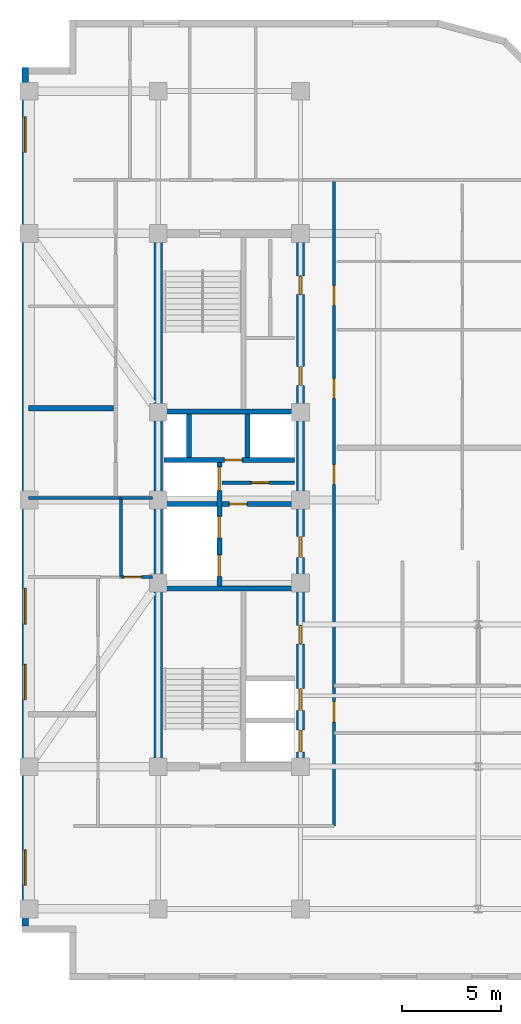
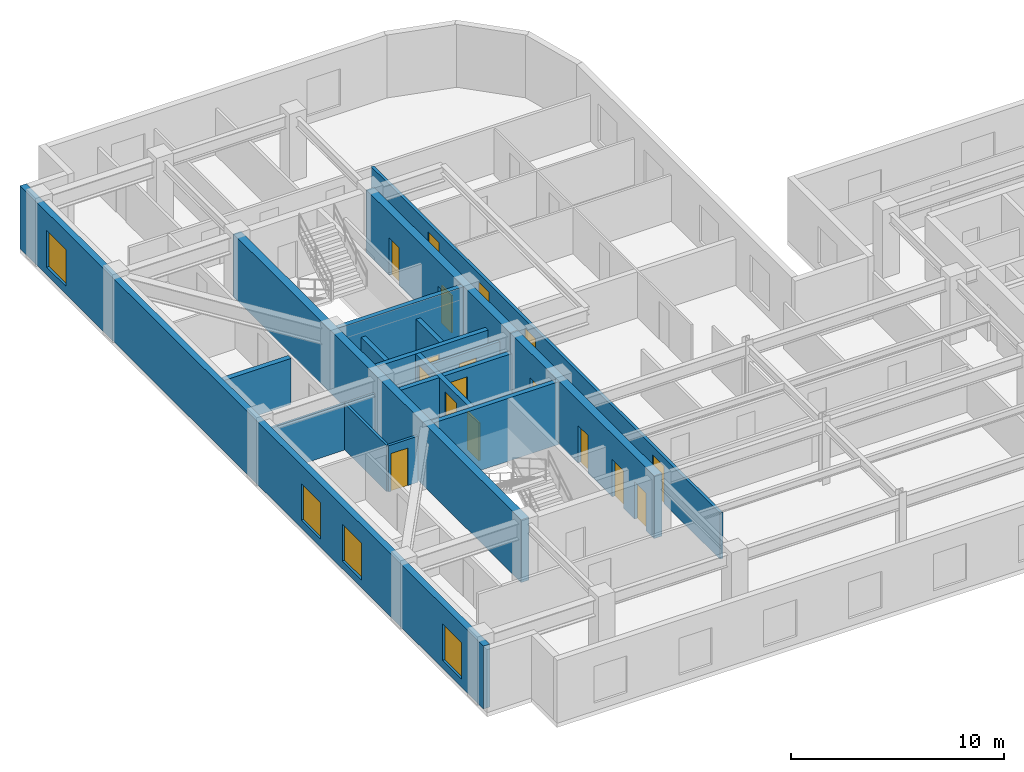
# One storey, part 4 of 10: 18 walls, 17 doors, 4 windows, 21 openings.
"""IFC4 building model written with IfcOpenShell, lengths in metres."""

from ifc_helpers import new_model, entity, si_unit, converted_unit, direction, frame, origin_with_axes, origin_2d_with_axis, place, context, subcontext, project, spatial, polyline, rectangle, outline, extrude, material, layer, layer_set, type_object, element, fill, save


model = new_model("IFC4")

# Units and contexts
model_context = context("Model", 3, precision=1e-05, world=origin_with_axes(), true_north=direction((0.0, 1.0)))
body_context = subcontext(model_context, "Body", "Model", "MODEL_VIEW")
ifc_project = project(units=[si_unit("LENGTHUNIT", "METRE"), si_unit("AREAUNIT", "SQUARE_METRE"), si_unit("VOLUMEUNIT", "CUBIC_METRE"), converted_unit("PLANEANGLEUNIT", "DEGREE", entity("IfcPlaneAngleMeasure", 0.017453292519943295), si_unit("PLANEANGLEUNIT", "RADIAN"), dimensions=[0, 0, 0, 0, 0, 0, 0]), si_unit("MASSUNIT", "GRAM", prefix="KILO"), si_unit("THERMODYNAMICTEMPERATUREUNIT", "KELVIN")], contexts=[model_context])

# Site, building, storey
site_placement = place(None, origin_with_axes())
site = spatial("IfcSite", under=ifc_project, at=site_placement, CompositionType="ELEMENT")
building_placement = place(site_placement, origin_with_axes())
building = spatial("IfcBuilding", under=site, at=building_placement, Name="Varnlund Millrace Tower", CompositionType="ELEMENT")
storey_placement = place(building_placement, frame((0.0, 0.0, 244.2), z_axis=(0.0, 0.0, 1.0), x_axis=(1.0, 0.0, 0.0)))
storey = spatial("IfcBuildingStorey", under=building, at=storey_placement, Name="L60", CompositionType="ELEMENT", Elevation=244.2)

# Wall
ifc_material_1 = material(Name="Concrete C60/75", Category="concrete")
ifc_layer_1 = layer(ifc_material_1, 0.42, Name="Concrete C60/75")
ifc_layer_set_1 = layer_set([ifc_layer_1], Name="Concrete C60/75")
wall_type_1 = type_object("IfcWallType", Name="Type-CoreWall-Shear-420-C60", PredefinedType="SHEAR", material=ifc_layer_set_1)
wall_1_placement = place(storey_placement, frame((11.4, 10.8, 0.0), z_axis=(0.0, 0.0, 1.0), x_axis=(0.0, 1.0, 0.0)))
element("IfcWall", 1, at=wall_1_placement, inside=storey, type_object=wall_type_1, Name="Type-CoreWall-Shear-420-C60", PredefinedType="SHEAR", context=body_context, shape_type="SweptSolid", body=[
    extrude(outline(polyline([(0.0, -0.21), (27.0, -0.21), (27.0, 0.21), (0.0, 0.21), (0.0, -0.21)])), origin_with_axes(), (0.0, 0.0, 1.0), 3.6),
])

# Wall, openings, doors
wall_2_placement = place(storey_placement, frame((18.6, 10.8, 0.0), z_axis=(0.0, 0.0, 1.0), x_axis=(0.0, 1.0, 0.0)))
wall_2 = element("IfcWall", 2, at=wall_2_placement, inside=storey, type_object=wall_type_1, Name="Type-CoreWall-Shear-420-C60", PredefinedType="SHEAR", context=body_context, shape_type="SweptSolid", body=[
    extrude(outline(polyline([(0.0, -0.21), (13.5, -0.21), (13.5, 0.21), (0.0, 0.21), (0.0, -0.21)])), origin_with_axes(), (0.0, 0.0, 1.0), 3.6),
])
opening_1_placement = place(wall_2_placement, frame((1.3, 0.0, 0.0), z_axis=(0.0, 0.0, 1.0), x_axis=(1.0, 0.0, 0.0)))
opening_1 = element("IfcOpeningElement", 3, at=opening_1_placement, cuts=wall_2, Name="Opening L60:LD-ELV-H1", PredefinedType="OPENING", context=body_context, shape_type="SweptSolid", body=[
    extrude(rectangle(XDim=1.1, YDim=0.44, at=origin_2d_with_axis()), origin_with_axes(), (0.0, 0.0, 1.0), 2.15),
])
opening_2_placement = place(wall_2_placement, frame((3.4, 0.0, 0.0), z_axis=(0.0, 0.0, 1.0), x_axis=(1.0, 0.0, 0.0)))
opening_2 = element("IfcOpeningElement", 4, at=opening_2_placement, cuts=wall_2, Name="Opening L60:LD-ELV-H2", PredefinedType="OPENING", context=body_context, shape_type="SweptSolid", body=[
    extrude(rectangle(XDim=1.1, YDim=0.44, at=origin_2d_with_axis()), origin_with_axes(), (0.0, 0.0, 1.0), 2.15),
])
opening_3_placement = place(wall_2_placement, frame((11.125, 0.0, 0.0), z_axis=(0.0, 0.0, 1.0), x_axis=(1.0, 0.0, 0.0)))
opening_3 = element("IfcOpeningElement", 5, at=opening_3_placement, cuts=wall_2, Name="Opening L60:DR-FFLOB-A", PredefinedType="OPENING", context=body_context, shape_type="SweptSolid", body=[
    extrude(rectangle(XDim=1.05, YDim=0.44, at=origin_2d_with_axis()), origin_with_axes(), (0.0, 0.0, 1.0), 2.15),
])
opening_4_placement = place(wall_2_placement, frame((6.675, 0.0, 0.0), z_axis=(0.0, 0.0, 1.0), x_axis=(1.0, 0.0, 0.0)))
opening_4 = element("IfcOpeningElement", 6, at=opening_4_placement, cuts=wall_2, Name="Opening L60:DR-RECL-S1AB", PredefinedType="OPENING", context=body_context, shape_type="SweptSolid", body=[
    extrude(rectangle(XDim=0.95, YDim=0.44, at=origin_2d_with_axis()), origin_with_axes(), (0.0, 0.0, 1.0), 2.15),
])
ifc_material_2 = material(Name="Smoke-barrier hollow steel fire door", Category="steel")
door_type_1 = type_object("IfcDoorType", Name="Type-FireDoor-Lobby-1050X2150", OperationType="NOTDEFINED", PredefinedType="DOOR", material=ifc_material_2)
door_1_placement = place(wall_2_placement, frame((11.125, 0.0, 0.0), z_axis=(0.0, 0.0, 1.0), x_axis=(1.0, 0.0, 0.0)))
door_1 = element("IfcDoor", 7, at=door_1_placement, inside=storey, type_object=door_type_1, Name="Type-FireDoor-Lobby-1050X2150", OperationType="SINGLE_SWING_LEFT", OverallHeight=2.15, OverallWidth=1.05, PredefinedType="DOOR", context=body_context, shape_type="SweptSolid", body=[
    extrude(rectangle(XDim=1.05, YDim=0.09, at=origin_2d_with_axis()), origin_with_axes(), (0.0, 0.0, 1.0), 2.15),
])
fill(opening_3, door_1)
ifc_material_3 = material(Name="Fire-rated hollow steel core service door", Category="steel")
door_type_2 = type_object("IfcDoorType", Name="Type-FireDoor-Service-950X2150", OperationType="NOTDEFINED", PredefinedType="DOOR", material=ifc_material_3)
door_2_placement = place(wall_2_placement, frame((6.675, 0.0, 0.0), z_axis=(0.0, 0.0, 1.0), x_axis=(1.0, 0.0, 0.0)))
door_2 = element("IfcDoor", 8, at=door_2_placement, inside=storey, type_object=door_type_2, Name="Type-FireDoor-Service-950X2150", OperationType="SINGLE_SWING_LEFT", OverallHeight=2.15, OverallWidth=0.95, PredefinedType="DOOR", context=body_context, shape_type="SweptSolid", body=[
    extrude(rectangle(XDim=0.95, YDim=0.09, at=origin_2d_with_axis()), origin_with_axes(), (0.0, 0.0, 1.0), 2.15),
])
fill(opening_4, door_2)
ifc_material_4 = material(Name="Stainless and architectural bronze sliding landing door")
door_type_3 = type_object("IfcDoorType", Name="Type-LiftLandingDoor-1100X2150", OperationType="NOTDEFINED", PredefinedType="DOOR", material=ifc_material_4)
door_3_placement = place(wall_2_placement, frame((1.3, 0.0, 0.0), z_axis=(0.0, 0.0, 1.0), x_axis=(1.0, 0.0, 0.0)))
door_3 = element("IfcDoor", 9, at=door_3_placement, inside=storey, type_object=door_type_3, Name="Type-LiftLandingDoor-1100X2150", OperationType="SLIDING_TO_LEFT", OverallHeight=2.15, OverallWidth=1.1, PredefinedType="DOOR", context=body_context, shape_type="SweptSolid", body=[
    extrude(rectangle(XDim=1.1, YDim=0.09, at=origin_2d_with_axis()), origin_with_axes(), (0.0, 0.0, 1.0), 2.15),
])
fill(opening_1, door_3)
door_4_placement = place(wall_2_placement, frame((3.4, 0.0, 0.0), z_axis=(0.0, 0.0, 1.0), x_axis=(1.0, 0.0, 0.0)))
door_4 = element("IfcDoor", 10, at=door_4_placement, inside=storey, type_object=door_type_3, Name="Type-LiftLandingDoor-1100X2150", OperationType="SLIDING_TO_RIGHT", OverallHeight=2.15, OverallWidth=1.1, PredefinedType="DOOR", context=body_context, shape_type="SweptSolid", body=[
    extrude(rectangle(XDim=1.1, YDim=0.09, at=origin_2d_with_axis()), origin_with_axes(), (0.0, 0.0, 1.0), 2.15),
])
fill(opening_2, door_4)

wall_3_placement = place(storey_placement, frame((18.6, 24.3, 0.0), z_axis=(0.0, 0.0, 1.0), x_axis=(0.0, 1.0, 0.0)))
wall_3 = element("IfcWall", 11, at=wall_3_placement, inside=storey, type_object=wall_type_1, Name="Type-CoreWall-Shear-420-C60", PredefinedType="SHEAR", context=body_context, shape_type="SweptSolid", body=[
    extrude(outline(polyline([(0.0, -0.21), (13.5, -0.21), (13.5, 0.21), (0.0, 0.21), (0.0, -0.21)])), origin_with_axes(), (0.0, 0.0, 1.0), 3.6),
])
opening_5_placement = place(wall_3_placement, frame((6.275, 0.0, 0.0), z_axis=(0.0, 0.0, 1.0), x_axis=(1.0, 0.0, 0.0)))
opening_5 = element("IfcOpeningElement", 12, at=opening_5_placement, cuts=wall_3, Name="Opening L60:DR-RECL-M1", PredefinedType="OPENING", context=body_context, shape_type="SweptSolid", body=[
    extrude(rectangle(XDim=0.95, YDim=0.44, at=origin_2d_with_axis()), origin_with_axes(), (0.0, 0.0, 1.0), 2.15),
])
opening_6_placement = place(wall_3_placement, frame((10.875, 0.0, 0.0), z_axis=(0.0, 0.0, 1.0), x_axis=(1.0, 0.0, 0.0)))
opening_6 = element("IfcOpeningElement", 13, at=opening_6_placement, cuts=wall_3, Name="Opening L60:DR-RECL-M3", PredefinedType="OPENING", context=body_context, shape_type="SweptSolid", body=[
    extrude(rectangle(XDim=0.95, YDim=0.44, at=origin_2d_with_axis()), origin_with_axes(), (0.0, 0.0, 1.0), 2.15),
])
door_5_placement = place(wall_3_placement, frame((6.275, 0.0, 0.0), z_axis=(0.0, 0.0, 1.0), x_axis=(1.0, 0.0, 0.0)))
door_5 = element("IfcDoor", 14, at=door_5_placement, inside=storey, type_object=door_type_2, Name="Type-FireDoor-Service-950X2150", OperationType="SINGLE_SWING_LEFT", OverallHeight=2.15, OverallWidth=0.95, PredefinedType="DOOR", context=body_context, shape_type="SweptSolid", body=[
    extrude(rectangle(XDim=0.95, YDim=0.09, at=origin_2d_with_axis()), origin_with_axes(), (0.0, 0.0, 1.0), 2.15),
])
fill(opening_5, door_5)
door_6_placement = place(wall_3_placement, frame((10.875, 0.0, 0.0), z_axis=(0.0, 0.0, 1.0), x_axis=(1.0, 0.0, 0.0)))
door_6 = element("IfcDoor", 15, at=door_6_placement, inside=storey, type_object=door_type_2, Name="Type-FireDoor-Service-950X2150", OperationType="SINGLE_SWING_RIGHT", OverallHeight=2.15, OverallWidth=0.95, PredefinedType="DOOR", context=body_context, shape_type="SweptSolid", body=[
    extrude(rectangle(XDim=0.95, YDim=0.09, at=origin_2d_with_axis()), origin_with_axes(), (0.0, 0.0, 1.0), 2.15),
])
fill(opening_6, door_6)

# Wall, openings, windows
ifc_material_5 = material(Name="Precast concrete C50/60", Category="concrete")
ifc_layer_2 = layer(ifc_material_5, 0.34, Name="Precast concrete C50/60")
ifc_layer_set_2 = layer_set([ifc_layer_2], Name="Precast concrete C50/60")
wall_type_2 = type_object("IfcWallType", Name="Type-ExtWall-Precast-Upper-340", PredefinedType="SOLIDWALL", material=ifc_layer_set_2)
wall_4_placement = place(storey_placement, frame((4.67, 2.74, 0.0), z_axis=(0.0, 0.0, 1.0), x_axis=(0.0, 1.0, 0.0)))
wall_4 = element("IfcWall", 16, at=wall_4_placement, inside=storey, type_object=wall_type_2, Name="Type-ExtWall-Precast-Upper-340", PredefinedType="SOLIDWALL", context=body_context, shape_type="SweptSolid", body=[
    extrude(outline(polyline([(0.0, -0.17), (43.46, -0.17), (43.46, 0.17), (0.0, 0.17), (0.0, -0.17)])), origin_with_axes(), (0.0, 0.0, 1.0), 3.6),
])
opening_7_placement = place(wall_4_placement, frame((2.948, 0.0, 0.45), z_axis=(0.0, 0.0, 1.0), x_axis=(1.0, 0.0, 0.0)))
opening_7 = element("IfcOpeningElement", 17, at=opening_7_placement, cuts=wall_4, Name="Opening L60:WN-16", PredefinedType="OPENING", context=body_context, shape_type="SweptSolid", body=[
    extrude(rectangle(XDim=1.8, YDim=0.36, at=origin_2d_with_axis()), origin_with_axes(), (0.0, 0.0, 1.0), 2.1),
])
opening_8_placement = place(wall_4_placement, frame((12.339, 0.0, 0.45), z_axis=(0.0, 0.0, 1.0), x_axis=(1.0, 0.0, 0.0)))
opening_8 = element("IfcOpeningElement", 18, at=opening_8_placement, cuts=wall_4, Name="Opening L60:WN-17", PredefinedType="OPENING", context=body_context, shape_type="SweptSolid", body=[
    extrude(rectangle(XDim=1.8, YDim=0.36, at=origin_2d_with_axis()), origin_with_axes(), (0.0, 0.0, 1.0), 2.1),
])
opening_9_placement = place(wall_4_placement, frame((16.184, 0.0, 0.45), z_axis=(0.0, 0.0, 1.0), x_axis=(1.0, 0.0, 0.0)))
opening_9 = element("IfcOpeningElement", 19, at=opening_9_placement, cuts=wall_4, Name="Opening L60:WN-18", PredefinedType="OPENING", context=body_context, shape_type="SweptSolid", body=[
    extrude(rectangle(XDim=1.8, YDim=0.36, at=origin_2d_with_axis()), origin_with_axes(), (0.0, 0.0, 1.0), 2.1),
])
opening_10_placement = place(wall_4_placement, frame((40.062, 0.0, 0.45), z_axis=(0.0, 0.0, 1.0), x_axis=(1.0, 0.0, 0.0)))
opening_10 = element("IfcOpeningElement", 20, at=opening_10_placement, cuts=wall_4, Name="Opening L60:WN-19", PredefinedType="OPENING", context=body_context, shape_type="SweptSolid", body=[
    extrude(rectangle(XDim=1.8, YDim=0.36, at=origin_2d_with_axis()), origin_with_axes(), (0.0, 0.0, 1.0), 2.1),
])
ifc_material_6 = material(Name="Argon low-e triple glazing in thermally broken bronze frame", Category="glass")
window_type = type_object("IfcWindowType", Name="Type-Window-Punched-1800X2100", PartitioningType="SINGLE_PANEL", PredefinedType="WINDOW", material=ifc_material_6)
window_1_placement = place(wall_4_placement, frame((2.948, 0.0, 0.45), z_axis=(0.0, 0.0, 1.0), x_axis=(1.0, 0.0, 0.0)))
window_1 = element("IfcWindow", 21, at=window_1_placement, inside=storey, type_object=window_type, Name="Type-Window-Punched-1800X2100", OverallHeight=2.1, OverallWidth=1.8, PredefinedType="WINDOW", context=body_context, shape_type="SweptSolid", body=[
    extrude(rectangle(XDim=1.8, YDim=0.09, at=origin_2d_with_axis()), origin_with_axes(), (0.0, 0.0, 1.0), 2.1),
])
fill(opening_7, window_1)
window_2_placement = place(wall_4_placement, frame((12.339, 0.0, 0.45), z_axis=(0.0, 0.0, 1.0), x_axis=(1.0, 0.0, 0.0)))
window_2 = element("IfcWindow", 22, at=window_2_placement, inside=storey, type_object=window_type, Name="Type-Window-Punched-1800X2100", OverallHeight=2.1, OverallWidth=1.8, PredefinedType="WINDOW", context=body_context, shape_type="SweptSolid", body=[
    extrude(rectangle(XDim=1.8, YDim=0.09, at=origin_2d_with_axis()), origin_with_axes(), (0.0, 0.0, 1.0), 2.1),
])
fill(opening_8, window_2)
window_3_placement = place(wall_4_placement, frame((16.184, 0.0, 0.45), z_axis=(0.0, 0.0, 1.0), x_axis=(1.0, 0.0, 0.0)))
window_3 = element("IfcWindow", 23, at=window_3_placement, inside=storey, type_object=window_type, Name="Type-Window-Punched-1800X2100", OverallHeight=2.1, OverallWidth=1.8, PredefinedType="WINDOW", context=body_context, shape_type="SweptSolid", body=[
    extrude(rectangle(XDim=1.8, YDim=0.09, at=origin_2d_with_axis()), origin_with_axes(), (0.0, 0.0, 1.0), 2.1),
])
fill(opening_9, window_3)
window_4_placement = place(wall_4_placement, frame((40.062, 0.0, 0.45), z_axis=(0.0, 0.0, 1.0), x_axis=(1.0, 0.0, 0.0)))
window_4 = element("IfcWindow", 24, at=window_4_placement, inside=storey, type_object=window_type, Name="Type-Window-Punched-1800X2100", OverallHeight=2.1, OverallWidth=1.8, PredefinedType="WINDOW", context=body_context, shape_type="SweptSolid", body=[
    extrude(rectangle(XDim=1.8, YDim=0.09, at=origin_2d_with_axis()), origin_with_axes(), (0.0, 0.0, 1.0), 2.1),
])
fill(opening_10, window_4)

# Wall
ifc_material_7 = material(Name="Double-stud STC-60 conference acoustic partition", Category="gypsum")
ifc_layer_3 = layer(ifc_material_7, 0.28, Name="Double-stud STC-60 conference acoustic partition")
ifc_layer_set_3 = layer_set([ifc_layer_3], Name="Double-stud STC-60 conference acoustic partition")
wall_type_3 = type_object("IfcWallType", Name="Type-Partition-Acoustic-280", PredefinedType="PARTITIONING", material=ifc_layer_set_3)
wall_5_placement = place(storey_placement, frame((4.835, 28.952, 0.0), z_axis=(0.0, 0.0, 1.0), x_axis=(1.0, 0.0, 0.0)))
element("IfcWall", 25, at=wall_5_placement, inside=storey, type_object=wall_type_3, Name="Type-Partition-Acoustic-280", PredefinedType="PARTITIONING", context=body_context, shape_type="SweptSolid", body=[
    extrude(outline(polyline([(0.0, -0.14), (4.295, -0.14), (4.295, 0.14), (0.0, 0.14), (0.0, -0.14)])), origin_with_axes(), (0.0, 0.0, 1.0), 2.64),
])

# Wall, opening, door
ifc_material_8 = material(Name="Fire-rated gypsum board on cold-formed steel framing", Category="steel")
ifc_layer_4 = layer(ifc_material_8, 0.16, Name="Fire-rated gypsum board on cold-formed steel framing")
ifc_layer_set_4 = layer_set([ifc_layer_4], Name="Fire-rated gypsum board on cold-formed steel framing")
wall_type_4 = type_object("IfcWallType", Name="Type-Partition-Corridor-160", PredefinedType="PARTITIONING", material=ifc_layer_set_4)
wall_6_placement = place(storey_placement, frame((14.62, 25.18, 0.0), z_axis=(0.0, 0.0, 1.0), x_axis=(1.0, 0.0, 0.0)))
wall_6 = element("IfcWall", 26, at=wall_6_placement, inside=storey, type_object=wall_type_4, Name="Type-Partition-Corridor-160", PredefinedType="PARTITIONING", context=body_context, shape_type="SweptSolid", body=[
    extrude(outline(polyline([(0.0, -0.08), (3.68, -0.08), (3.68, 0.08), (0.0, 0.08), (0.0, -0.08)])), origin_with_axes(), (0.0, 0.0, 1.0), 2.64),
])
opening_11_placement = place(wall_6_placement, frame((1.95, 0.0, 0.0), z_axis=(0.0, 0.0, 1.0), x_axis=(1.0, 0.0, 0.0)))
opening_11 = element("IfcOpeningElement", 27, at=opening_11_placement, cuts=wall_6, Name="Opening L60:DR-CA-SUB2", PredefinedType="OPENING", context=body_context, shape_type="SweptSolid", body=[
    extrude(rectangle(XDim=0.9, YDim=0.18, at=origin_2d_with_axis()), origin_with_axes(), (0.0, 0.0, 1.0), 2.15),
])
ifc_material_9 = material(Name="Painted steel riser and closet door", Category="steel")
door_type_4 = type_object("IfcDoorType", Name="Type-IntDoor-Closet-900X2150", OperationType="NOTDEFINED", PredefinedType="DOOR", material=ifc_material_9)
door_7_placement = place(wall_6_placement, frame((1.95, 0.0, 0.0), z_axis=(0.0, 0.0, 1.0), x_axis=(1.0, 0.0, 0.0)))
door_7 = element("IfcDoor", 28, at=door_7_placement, inside=storey, type_object=door_type_4, Name="Type-IntDoor-Closet-900X2150", OperationType="SINGLE_SWING_LEFT", OverallHeight=2.15, OverallWidth=0.9, PredefinedType="DOOR", context=body_context, shape_type="SweptSolid", body=[
    extrude(rectangle(XDim=0.9, YDim=0.09, at=origin_2d_with_axis()), origin_with_axes(), (0.0, 0.0, 1.0), 2.15),
])
fill(opening_11, door_7)

# Wall, openings, doors
wall_7_placement = place(storey_placement, frame((20.3, 7.8, 0.0), z_axis=(0.0, 0.0, 1.0), x_axis=(0.0, 1.0, 0.0)))
wall_7 = element("IfcWall", 29, at=wall_7_placement, inside=storey, type_object=wall_type_4, Name="Type-Partition-Corridor-160", PredefinedType="PARTITIONING", context=body_context, shape_type="SweptSolid", body=[
    extrude(outline(polyline([(0.0, -0.08), (32.7, -0.08), (32.7, 0.08), (0.0, 0.08), (0.0, -0.08)])), origin_with_axes(), (0.0, 0.0, 1.0), 2.64),
])
opening_12_placement = place(wall_7_placement, frame((17.794, 0.0, 0.0), z_axis=(0.0, 0.0, 1.0), x_axis=(1.0, 0.0, 0.0)))
opening_12 = element("IfcOpeningElement", 30, at=opening_12_placement, cuts=wall_7, Name="Opening L60:DR-FLR-01", PredefinedType="OPENING", context=body_context, shape_type="SweptSolid", body=[
    extrude(rectangle(XDim=1.0, YDim=0.18, at=origin_2d_with_axis()), origin_with_axes(), (0.0, 0.0, 1.0), 2.15),
])
opening_13_placement = place(wall_7_placement, frame((22.145, 0.0, 0.0), z_axis=(0.0, 0.0, 1.0), x_axis=(1.0, 0.0, 0.0)))
opening_13 = element("IfcOpeningElement", 31, at=opening_13_placement, cuts=wall_7, Name="Opening L60:DR-FLR-02", PredefinedType="OPENING", context=body_context, shape_type="SweptSolid", body=[
    extrude(rectangle(XDim=1.0, YDim=0.18, at=origin_2d_with_axis()), origin_with_axes(), (0.0, 0.0, 1.0), 2.15),
])
opening_14_placement = place(wall_7_placement, frame((26.855, 0.0, 0.0), z_axis=(0.0, 0.0, 1.0), x_axis=(1.0, 0.0, 0.0)))
opening_14 = element("IfcOpeningElement", 32, at=opening_14_placement, cuts=wall_7, Name="Opening L60:DR-FLR-03", PredefinedType="OPENING", context=body_context, shape_type="SweptSolid", body=[
    extrude(rectangle(XDim=1.0, YDim=0.18, at=origin_2d_with_axis()), origin_with_axes(), (0.0, 0.0, 1.0), 2.15),
])
opening_15_placement = place(wall_7_placement, frame((5.775, 0.0, 0.0), z_axis=(0.0, 0.0, 1.0), x_axis=(1.0, 0.0, 0.0)))
opening_15 = element("IfcOpeningElement", 33, at=opening_15_placement, cuts=wall_7, Name="Opening L60:DR-KN-W", PredefinedType="OPENING", context=body_context, shape_type="SweptSolid", body=[
    extrude(rectangle(XDim=1.05, YDim=0.18, at=origin_2d_with_axis()), origin_with_axes(), (0.0, 0.0, 1.0), 2.15),
])
door_8_placement = place(wall_7_placement, frame((5.775, 0.0, 0.0), z_axis=(0.0, 0.0, 1.0), x_axis=(1.0, 0.0, 0.0)))
door_8 = element("IfcDoor", 34, at=door_8_placement, inside=storey, type_object=door_type_1, Name="Type-FireDoor-Lobby-1050X2150", OperationType="SINGLE_SWING_LEFT", OverallHeight=2.15, OverallWidth=1.05, PredefinedType="DOOR", context=body_context, shape_type="SweptSolid", body=[
    extrude(rectangle(XDim=1.05, YDim=0.09, at=origin_2d_with_axis()), origin_with_axes(), (0.0, 0.0, 1.0), 2.15),
])
fill(opening_15, door_8)
ifc_material_10 = material(Name="Solid-core white oak and bronze frame door")
door_type_5 = type_object("IfcDoorType", Name="Type-IntDoor-Office-1000X2150", OperationType="NOTDEFINED", PredefinedType="DOOR", material=ifc_material_10)
door_9_placement = place(wall_7_placement, frame((17.794, 0.0, 0.0), z_axis=(0.0, 0.0, 1.0), x_axis=(1.0, 0.0, 0.0)))
door_9 = element("IfcDoor", 35, at=door_9_placement, inside=storey, type_object=door_type_5, Name="Type-IntDoor-Office-1000X2150", OperationType="SINGLE_SWING_LEFT", OverallHeight=2.15, OverallWidth=1.0, PredefinedType="DOOR", context=body_context, shape_type="SweptSolid", body=[
    extrude(rectangle(XDim=1.0, YDim=0.09, at=origin_2d_with_axis()), origin_with_axes(), (0.0, 0.0, 1.0), 2.15),
])
fill(opening_12, door_9)
door_10_placement = place(wall_7_placement, frame((22.145, 0.0, 0.0), z_axis=(0.0, 0.0, 1.0), x_axis=(1.0, 0.0, 0.0)))
door_10 = element("IfcDoor", 36, at=door_10_placement, inside=storey, type_object=door_type_5, Name="Type-IntDoor-Office-1000X2150", OperationType="SINGLE_SWING_RIGHT", OverallHeight=2.15, OverallWidth=1.0, PredefinedType="DOOR", context=body_context, shape_type="SweptSolid", body=[
    extrude(rectangle(XDim=1.0, YDim=0.09, at=origin_2d_with_axis()), origin_with_axes(), (0.0, 0.0, 1.0), 2.15),
])
fill(opening_13, door_10)
door_11_placement = place(wall_7_placement, frame((26.855, 0.0, 0.0), z_axis=(0.0, 0.0, 1.0), x_axis=(1.0, 0.0, 0.0)))
door_11 = element("IfcDoor", 37, at=door_11_placement, inside=storey, type_object=door_type_5, Name="Type-IntDoor-Office-1000X2150", OperationType="SINGLE_SWING_LEFT", OverallHeight=2.15, OverallWidth=1.0, PredefinedType="DOOR", context=body_context, shape_type="SweptSolid", body=[
    extrude(rectangle(XDim=1.0, YDim=0.09, at=origin_2d_with_axis()), origin_with_axes(), (0.0, 0.0, 1.0), 2.15),
])
fill(opening_14, door_11)

# Wall
ifc_material_11 = material(Name="Moisture-resistant gypsum restroom partition", Category="gypsum")
ifc_layer_5 = layer(ifc_material_11, 0.14, Name="Moisture-resistant gypsum restroom partition")
ifc_layer_set_5 = layer_set([ifc_layer_5], Name="Moisture-resistant gypsum restroom partition")
wall_type_5 = type_object("IfcWallType", Name="Type-Partition-Wet-140", PredefinedType="PARTITIONING", material=ifc_layer_set_5)
wall_8_placement = place(storey_placement, frame((9.52, 20.4, 0.0), z_axis=(0.0, 0.0, 1.0), x_axis=(0.0, 1.0, 0.0)))
element("IfcWall", 38, at=wall_8_placement, inside=storey, type_object=wall_type_5, Name="Type-Partition-Wet-140", PredefinedType="PARTITIONING", context=body_context, shape_type="SweptSolid", body=[
    extrude(outline(polyline([(0.0, -0.07), (4.0, -0.07), (4.0, 0.07), (0.0, 0.07), (0.0, -0.07)])), origin_with_axes(), (0.0, 0.0, 1.0), 2.64),
])

# Wall, opening, door
wall_9_placement = place(storey_placement, frame((9.52, 20.4, 0.0), z_axis=(0.0, 0.0, 1.0), x_axis=(1.0, 0.0, 0.0)))
wall_9 = element("IfcWall", 39, at=wall_9_placement, inside=storey, type_object=wall_type_5, Name="Type-Partition-Wet-140", PredefinedType="PARTITIONING", context=body_context, shape_type="SweptSolid", body=[
    extrude(outline(polyline([(0.0, -0.07), (1.58, -0.07), (1.58, 0.07), (0.0, 0.07), (0.0, -0.07)])), origin_with_axes(), (0.0, 0.0, 1.0), 2.64),
])
opening_16_placement = place(wall_9_placement, frame((0.59, 0.0, 0.0), z_axis=(0.0, 0.0, 1.0), x_axis=(1.0, 0.0, 0.0)))
opening_16 = element("IfcOpeningElement", 40, at=opening_16_placement, cuts=wall_9, Name="Opening L60:DR-CA-WCW", PredefinedType="OPENING", context=body_context, shape_type="SweptSolid", body=[
    extrude(rectangle(XDim=0.9, YDim=0.16, at=origin_2d_with_axis()), origin_with_axes(), (0.0, 0.0, 1.0), 2.15),
])
door_12_placement = place(wall_9_placement, frame((0.59, 0.0, 0.0), z_axis=(0.0, 0.0, 1.0), x_axis=(1.0, 0.0, 0.0)))
door_12 = element("IfcDoor", 41, at=door_12_placement, inside=storey, type_object=door_type_4, Name="Type-IntDoor-Closet-900X2150", OperationType="SINGLE_SWING_LEFT", OverallHeight=2.15, OverallWidth=0.9, PredefinedType="DOOR", context=body_context, shape_type="SweptSolid", body=[
    extrude(rectangle(XDim=0.9, YDim=0.084, at=origin_2d_with_axis()), origin_with_axes(), (0.0, 0.0, 1.0), 2.15),
])
fill(opening_16, door_12)

# Walls
wall_10_placement = place(storey_placement, frame((9.52, 24.4, 0.0), z_axis=(0.0, 0.0, 1.0), x_axis=(1.0, 0.0, 0.0)))
element("IfcWall", 42, at=wall_10_placement, inside=storey, type_object=wall_type_5, Name="Type-Partition-Wet-140", PredefinedType="PARTITIONING", context=body_context, shape_type="SweptSolid", body=[
    extrude(outline(polyline([(0.0, -0.07), (1.58, -0.07), (1.58, 0.07), (0.0, 0.07), (0.0, -0.07)])), origin_with_axes(), (0.0, 0.0, 1.0), 2.64),
])
wall_11_placement = place(storey_placement, frame((4.835, 24.4, 0.0), z_axis=(0.0, 0.0, 1.0), x_axis=(1.0, 0.0, 0.0)))
element("IfcWall", 43, at=wall_11_placement, inside=storey, type_object=wall_type_5, Name="Type-Partition-Wet-140", PredefinedType="PARTITIONING", context=body_context, shape_type="SweptSolid", body=[
    extrude(outline(polyline([(0.0, -0.07), (4.685, -0.07), (4.685, 0.07), (0.0, 0.07), (0.0, -0.07)])), origin_with_axes(), (0.0, 0.0, 1.0), 2.64),
])

# Wall, openings, doors
ifc_layer_6 = layer(ifc_material_1, 0.25, Name="Concrete C60/75")
ifc_layer_set_6 = layer_set([ifc_layer_6], Name="Concrete C60/75")
wall_type_6 = type_object("IfcWallType", Name="Type-ShaftWall-Fire-250", PredefinedType="SOLIDWALL", material=ifc_layer_set_6)
wall_12_placement = place(storey_placement, frame((14.5, 19.95, 0.0), z_axis=(0.0, 0.0, 1.0), x_axis=(0.0, 1.0, 0.0)))
wall_12 = element("IfcWall", 44, at=wall_12_placement, inside=storey, type_object=wall_type_6, Name="Type-ShaftWall-Fire-250", PredefinedType="SOLIDWALL", context=body_context, shape_type="SweptSolid", body=[
    extrude(outline(polyline([(0.0, -0.125), (6.25, -0.125), (6.25, 0.125), (0.0, 0.125), (0.0, -0.125)])), origin_with_axes(), (0.0, 0.0, 1.0), 2.64),
])
opening_17_placement = place(wall_12_placement, frame((1.025, 0.0, 0.0), z_axis=(0.0, 0.0, 1.0), x_axis=(1.0, 0.0, 0.0)))
opening_17 = element("IfcOpeningElement", 45, at=opening_17_placement, cuts=wall_12, Name="Opening L60:LD-FSAE1", PredefinedType="OPENING", context=body_context, shape_type="SweptSolid", body=[
    extrude(rectangle(XDim=1.1, YDim=0.27, at=origin_2d_with_axis()), origin_with_axes(), (0.0, 0.0, 1.0), 2.15),
])
opening_18_placement = place(wall_12_placement, frame((2.975, 0.0, 0.0), z_axis=(0.0, 0.0, 1.0), x_axis=(1.0, 0.0, 0.0)))
opening_18 = element("IfcOpeningElement", 46, at=opening_18_placement, cuts=wall_12, Name="Opening L60:LD-FSAE2", PredefinedType="OPENING", context=body_context, shape_type="SweptSolid", body=[
    extrude(rectangle(XDim=1.1, YDim=0.27, at=origin_2d_with_axis()), origin_with_axes(), (0.0, 0.0, 1.0), 2.15),
])
opening_19_placement = place(wall_12_placement, frame((5.425, 0.0, 0.0), z_axis=(0.0, 0.0, 1.0), x_axis=(1.0, 0.0, 0.0)))
opening_19 = element("IfcOpeningElement", 47, at=opening_19_placement, cuts=wall_12, Name="Opening L60:LD-SRV1", PredefinedType="OPENING", context=body_context, shape_type="SweptSolid", body=[
    extrude(rectangle(XDim=1.2, YDim=0.27, at=origin_2d_with_axis()), origin_with_axes(), (0.0, 0.0, 1.0), 2.15),
])
door_13_placement = place(wall_12_placement, frame((1.025, 0.0, 0.0), z_axis=(0.0, 0.0, 1.0), x_axis=(1.0, 0.0, 0.0)))
door_13 = element("IfcDoor", 48, at=door_13_placement, inside=storey, type_object=door_type_3, Name="Type-LiftLandingDoor-1100X2150", OperationType="SLIDING_TO_LEFT", OverallHeight=2.15, OverallWidth=1.1, PredefinedType="DOOR", context=body_context, shape_type="SweptSolid", body=[
    extrude(rectangle(XDim=1.1, YDim=0.09, at=origin_2d_with_axis()), origin_with_axes(), (0.0, 0.0, 1.0), 2.15),
])
fill(opening_17, door_13)
door_14_placement = place(wall_12_placement, frame((2.975, 0.0, 0.0), z_axis=(0.0, 0.0, 1.0), x_axis=(1.0, 0.0, 0.0)))
door_14 = element("IfcDoor", 49, at=door_14_placement, inside=storey, type_object=door_type_3, Name="Type-LiftLandingDoor-1100X2150", OperationType="SLIDING_TO_RIGHT", OverallHeight=2.15, OverallWidth=1.1, PredefinedType="DOOR", context=body_context, shape_type="SweptSolid", body=[
    extrude(rectangle(XDim=1.1, YDim=0.09, at=origin_2d_with_axis()), origin_with_axes(), (0.0, 0.0, 1.0), 2.15),
])
fill(opening_18, door_14)
ifc_material_12 = material(Name="Heavy-duty freight sliding landing door")
door_type_6 = type_object("IfcDoorType", Name="Type-LiftLandingDoor-Service-1200X2150", OperationType="NOTDEFINED", PredefinedType="DOOR", material=ifc_material_12)
door_15_placement = place(wall_12_placement, frame((5.425, 0.0, 0.0), z_axis=(0.0, 0.0, 1.0), x_axis=(1.0, 0.0, 0.0)))
door_15 = element("IfcDoor", 50, at=door_15_placement, inside=storey, type_object=door_type_6, Name="Type-LiftLandingDoor-Service-1200X2150", OperationType="DOUBLE_DOOR_SLIDING", OverallHeight=2.15, OverallWidth=1.2, PredefinedType="DOOR", context=body_context, shape_type="SweptSolid", body=[
    extrude(rectangle(XDim=1.2, YDim=0.09, at=origin_2d_with_axis()), origin_with_axes(), (0.0, 0.0, 1.0), 2.15),
])
fill(opening_19, door_15)

# Wall, opening, door
wall_13_placement = place(storey_placement, frame((11.7, 24.1, 0.0), z_axis=(0.0, 0.0, 1.0), x_axis=(1.0, 0.0, 0.0)))
wall_13 = element("IfcWall", 51, at=wall_13_placement, inside=storey, type_object=wall_type_6, Name="Type-ShaftWall-Fire-250", PredefinedType="SOLIDWALL", context=body_context, shape_type="SweptSolid", body=[
    extrude(outline(polyline([(0.0, -0.125), (6.6, -0.125), (6.6, 0.125), (0.0, 0.125), (0.0, -0.125)])), origin_with_axes(), (0.0, 0.0, 1.0), 2.64),
])
opening_20_placement = place(wall_13_placement, frame((3.75, 0.0, 0.0), z_axis=(0.0, 0.0, 1.0), x_axis=(1.0, 0.0, 0.0)))
opening_20 = element("IfcOpeningElement", 52, at=opening_20_placement, cuts=wall_13, Name="Opening L60:DR-CA-SUB1", PredefinedType="OPENING", context=body_context, shape_type="SweptSolid", body=[
    extrude(rectangle(XDim=0.9, YDim=0.27, at=origin_2d_with_axis()), origin_with_axes(), (0.0, 0.0, 1.0), 2.15),
])
ifc_material_13 = material(Name="Fire-rated hollow steel service closet door", Category="steel")
door_type_7 = type_object("IfcDoorType", Name="Type-FireDoor-Closet-900X2150", OperationType="NOTDEFINED", PredefinedType="DOOR", material=ifc_material_13)
door_16_placement = place(wall_13_placement, frame((3.75, 0.0, 0.0), z_axis=(0.0, 0.0, 1.0), x_axis=(1.0, 0.0, 0.0)))
door_16 = element("IfcDoor", 53, at=door_16_placement, inside=storey, type_object=door_type_7, Name="Type-FireDoor-Closet-900X2150", OperationType="SINGLE_SWING_LEFT", OverallHeight=2.15, OverallWidth=0.9, PredefinedType="DOOR", context=body_context, shape_type="SweptSolid", body=[
    extrude(rectangle(XDim=0.9, YDim=0.09, at=origin_2d_with_axis()), origin_with_axes(), (0.0, 0.0, 1.0), 2.15),
])
fill(opening_20, door_16)

wall_14_placement = place(storey_placement, frame((11.7, 26.325, 0.0), z_axis=(0.0, 0.0, 1.0), x_axis=(1.0, 0.0, 0.0)))
wall_14 = element("IfcWall", 54, at=wall_14_placement, inside=storey, type_object=wall_type_6, Name="Type-ShaftWall-Fire-250", PredefinedType="SOLIDWALL", context=body_context, shape_type="SweptSolid", body=[
    extrude(outline(polyline([(0.0, -0.125), (6.6, -0.125), (6.6, 0.125), (0.0, 0.125), (0.0, -0.125)])), origin_with_axes(), (0.0, 0.0, 1.0), 2.64),
])
opening_21_placement = place(wall_14_placement, frame((3.5, 0.0, 0.0), z_axis=(0.0, 0.0, 1.0), x_axis=(1.0, 0.0, 0.0)))
opening_21 = element("IfcOpeningElement", 55, at=opening_21_placement, cuts=wall_14, Name="Opening L60:DR-CA-ELC", PredefinedType="OPENING", context=body_context, shape_type="SweptSolid", body=[
    extrude(rectangle(XDim=0.9, YDim=0.27, at=origin_2d_with_axis()), origin_with_axes(), (0.0, 0.0, 1.0), 2.15),
])
door_17_placement = place(wall_14_placement, frame((3.5, 0.0, 0.0), z_axis=(0.0, 0.0, 1.0), x_axis=(1.0, 0.0, 0.0)))
door_17 = element("IfcDoor", 56, at=door_17_placement, inside=storey, type_object=door_type_7, Name="Type-FireDoor-Closet-900X2150", OperationType="SINGLE_SWING_LEFT", OverallHeight=2.15, OverallWidth=0.9, PredefinedType="DOOR", context=body_context, shape_type="SweptSolid", body=[
    extrude(rectangle(XDim=0.9, YDim=0.09, at=origin_2d_with_axis()), origin_with_axes(), (0.0, 0.0, 1.0), 2.15),
])
fill(opening_21, door_17)

# Walls
for number, where, z_axis, x_axis, name in (
    (57, (12.96, 26.45, 0.0), (0.0, 0.0, 1.0), (0.0, 1.0, 0.0), "Type-ShaftWall-Fire-250"),
    (58, (15.925, 26.45, 0.0), (0.0, 0.0, 1.0), (0.0, 1.0, 0.0), "Type-ShaftWall-Fire-250"),
):
    element("IfcWall", number, at=place(storey_placement, frame(where, z_axis=z_axis, x_axis=x_axis)), inside=storey, type_object=wall_type_6, Name=name, PredefinedType="SOLIDWALL", context=body_context, shape_type="SweptSolid", body=[
        extrude(outline(polyline([(0.0, -0.125), (2.2, -0.125), (2.2, 0.125), (0.0, 0.125), (0.0, -0.125)])), origin_with_axes(), (0.0, 0.0, 1.0), 2.64),
    ])
wall_type_7 = type_object("IfcWallType", Name="Type-StairWall-Shear-250", PredefinedType="SHEAR", material=ifc_layer_set_6)
for number, where, z_axis, x_axis, name in (
    (59, (11.61, 19.825, 0.0), (0.0, 0.0, 1.0), (1.0, 0.0, 0.0), "Type-StairWall-Shear-250"),
    (60, (11.61, 28.775, 0.0), (0.0, 0.0, 1.0), (1.0, 0.0, 0.0), "Type-StairWall-Shear-250"),
):
    element("IfcWall", number, at=place(storey_placement, frame(where, z_axis=z_axis, x_axis=x_axis)), inside=storey, type_object=wall_type_7, Name=name, PredefinedType="SHEAR", context=body_context, shape_type="SweptSolid", body=[
        extrude(outline(polyline([(0.0, -0.125), (6.78, -0.125), (6.78, 0.125), (0.0, 0.125), (0.0, -0.125)])), origin_with_axes(), (0.0, 0.0, 1.0), 3.6),
    ])

save(model, "model.ifc")
